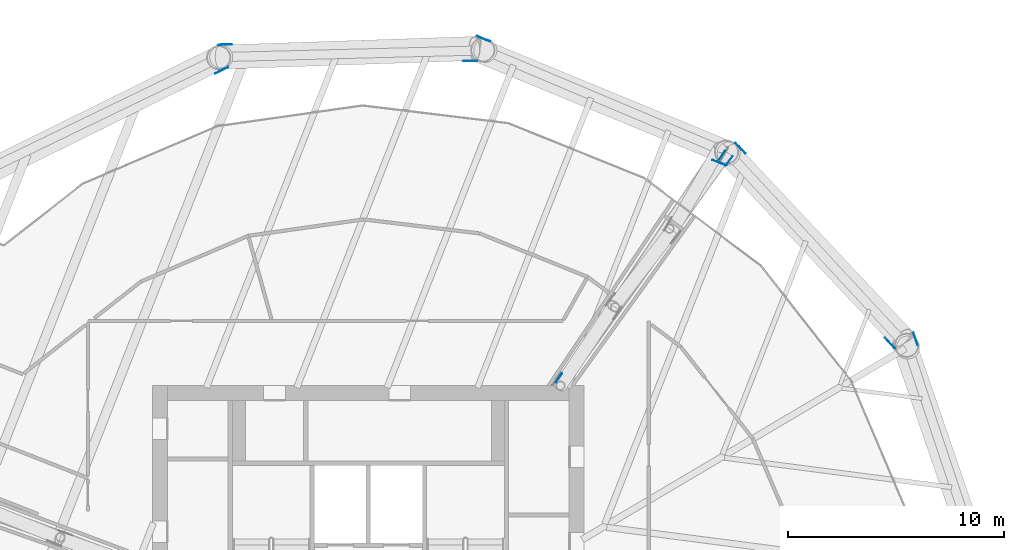
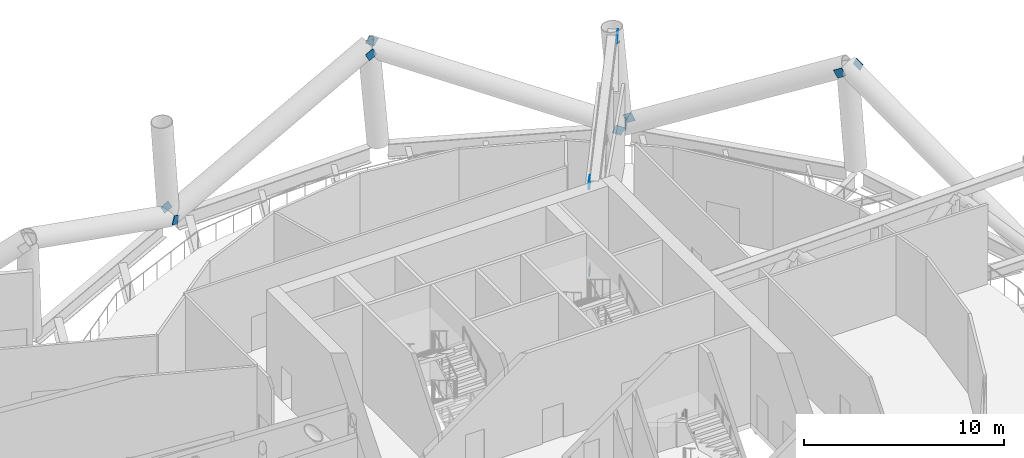
# One storey, part 26 of 36: 12 discrete accessories.
"""IFC4 building model written with IfcOpenShell, lengths in metres."""

from ifc_helpers import new_model, si_unit, direction, frame, origin, origin_2d, place, context, subcontext, project, spatial, rectangle, extrude, material, material_profile, profile_set, type_object, element, save


model = new_model("IFC4")

# Units and contexts
model_context = context("Model", 3, precision=1e-05, world=origin(), true_north=direction((0.0, 1.0)))
body_context = subcontext(model_context, "Body", "Model", "MODEL_VIEW")
ifc_project = project(units=[si_unit("LENGTHUNIT", "METRE"), si_unit("AREAUNIT", "SQUARE_METRE"), si_unit("VOLUMEUNIT", "CUBIC_METRE"), si_unit("PLANEANGLEUNIT", "RADIAN"), si_unit("MASSUNIT", "GRAM", prefix="KILO")], contexts=[model_context])

# Site, building, storey
site_placement = place(None, origin())
site = spatial("IfcSite", under=ifc_project, at=site_placement, CompositionType="ELEMENT")
building_placement = place(site_placement, origin())
building = spatial("IfcBuilding", under=site, at=building_placement, Name="Tarsis Ring Headquarters", CompositionType="ELEMENT")
storey_placement = place(building_placement, frame((0.0, 0.0, 194.39990234375)))
storey = spatial("IfcBuildingStorey", under=building, at=storey_placement, Name="L45", CompositionType="ELEMENT", Elevation=194.39990234375)

# Discrete accessories
ifc_material = material(Name="Structural steel S355", Category="steel")
ifc_material_profile = material_profile(ifc_material, rectangle(XDim=0.02490234375, YDim=0.5, at=origin_2d()), Name="PL 25x500")
ifc_profile_set = profile_set([ifc_material_profile], Name="Structural steel S355")
discrete_accessory_type_1 = type_object("IfcDiscreteAccessoryType", Name="Gusset plate Belt truss 25", PredefinedType="BRACKET", material=ifc_profile_set)
for number, where, z_axis, x_axis, name in (
    (1, (25.29248046875, 15.388916015625, 6.0), (0.29293962723, -0.855871944222, -0.426227157619), (0.946116126571, 0.323827539043, 0.0), "Gusset plate GP4"),
    (2, (17.1015625, 24.169921875, 0.0), (0.610399807819, -0.648977075673, 0.454137457017), (0.728425227586, 0.685125308113, 0.0), "Gusset plate GP4"),
    (3, (24.3359375, 14.812255859375, 6.0), (-0.610399807819, 0.648977075673, -0.454137457017), (-0.728425227586, -0.685125308113, 0.0), "Gusset plate GP4"),
):
    element("IfcDiscreteAccessory", number, at=place(storey_placement, frame(where, z_axis=z_axis, x_axis=x_axis)), inside=storey, type_object=discrete_accessory_type_1, Name=name, PredefinedType="BRACKET", context=body_context, shape_type="SweptSolid", body=[
        extrude(rectangle(XDim=0.02490234375, YDim=0.5, at=origin_2d()), origin(), (0.0, 0.0, 1.0), 0.5),
    ])
discrete_accessory_placement = place(storey_placement, frame((16.4677734375, 23.250244140625, 0.0), z_axis=(-0.836188871929, 0.344628922115, 0.426636937575), x_axis=(-0.381048392645, -0.924555094336, 0.0)))
element("IfcDiscreteAccessory", 4, at=discrete_accessory_placement, inside=storey, type_object=discrete_accessory_type_1, Name="Gusset plate GP4", PredefinedType="BRACKET", context=body_context, shape_type="SweptSolid", body=[
    extrude(rectangle(XDim=0.02490234375, YDim=0.5, at=origin_2d()), origin(), (0.0, 0.0, 1.0), 0.500244140625),
])
for number, where, z_axis, x_axis, name in (
    (5, (5.1396484375, 29.15673828125, 6.0), (0.836216165266, -0.344841479368, -0.426411631003), (0.381238626018, 0.924476668192, 0.0), "Gusset plate GP4"),
    (6, (-6.86328125, 28.8017578125, 0.0), (0.890386612922, 0.029793518041, 0.454229045539), (-0.033442610536, 0.999440639458, 0.0), "Gusset plate GP4"),
):
    element("IfcDiscreteAccessory", number, at=place(storey_placement, frame(where, z_axis=z_axis, x_axis=x_axis)), inside=storey, type_object=discrete_accessory_type_1, Name=name, PredefinedType="BRACKET", context=body_context, shape_type="SweptSolid", body=[
        extrude(rectangle(XDim=0.02490234375, YDim=0.5, at=origin_2d()), origin(), (0.0, 0.0, 1.0), 0.499755859375),
    ])
for number, where, z_axis, x_axis, name in (
    (7, (4.941162109375, 28.0576171875, 6.0), (-0.89047470024, -0.030268328627, -0.454024929398), (0.033971608277, -0.999422798335, 0.0), "Gusset plate GP4"),
    (8, (-6.591064453125, 27.718505859375, 0.0), (-0.810948832182, -0.400348008663, 0.426712389721), (0.442673147255, -0.896683045842, 0.0), "Gusset plate GP4"),
):
    element("IfcDiscreteAccessory", number, at=place(storey_placement, frame(where, z_axis=z_axis, x_axis=x_axis)), inside=storey, type_object=discrete_accessory_type_1, Name=name, PredefinedType="BRACKET", context=body_context, shape_type="SweptSolid", body=[
        extrude(rectangle(XDim=0.02490234375, YDim=0.5, at=origin_2d()), origin(), (0.0, 0.0, 1.0), 0.5),
    ])
discrete_accessory_type_2 = type_object("IfcDiscreteAccessoryType", Name="Gusset plate Outrigger chord 25", PredefinedType="BRACKET", material=ifc_profile_set)
for number, where, z_axis, x_axis, name in (
    (9, (8.692138671875, 13.155517578125, 0.254150390625), (0.583545486311, 0.812080455008, 0.0), (-0.812080455008, 0.583545486311, 0.0), "Gusset plate GP3"),
    (10, (16.884765625, 23.634521484375, 0.254150390625), (-0.583867385059, -0.811849047954, 0.0), (0.811849047954, -0.583867385059, 0.0), "Gusset plate GP3"),
    (11, (8.68701171875, 13.1484375, 5.586181640625), (0.557063963795, 0.830469590197, 0.0), (-0.830469590197, 0.557063963795, 0.0), "Gusset plate GP3"),
    (12, (16.53369140625, 23.88720703125, 5.586181640625), (-0.557063963795, -0.830469590197, 0.0), (0.830469590197, -0.557063963795, 0.0), "Gusset plate GP3"),
):
    element("IfcDiscreteAccessory", number, at=place(storey_placement, frame(where, z_axis=z_axis, x_axis=x_axis)), inside=storey, type_object=discrete_accessory_type_2, Name=name, PredefinedType="BRACKET", context=body_context, shape_type="SweptSolid", body=[
        extrude(rectangle(XDim=0.02490234375, YDim=0.5, at=origin_2d()), origin(), (0.0, 0.0, 1.0), 0.5),
    ])

save(model, "model.ifc")
